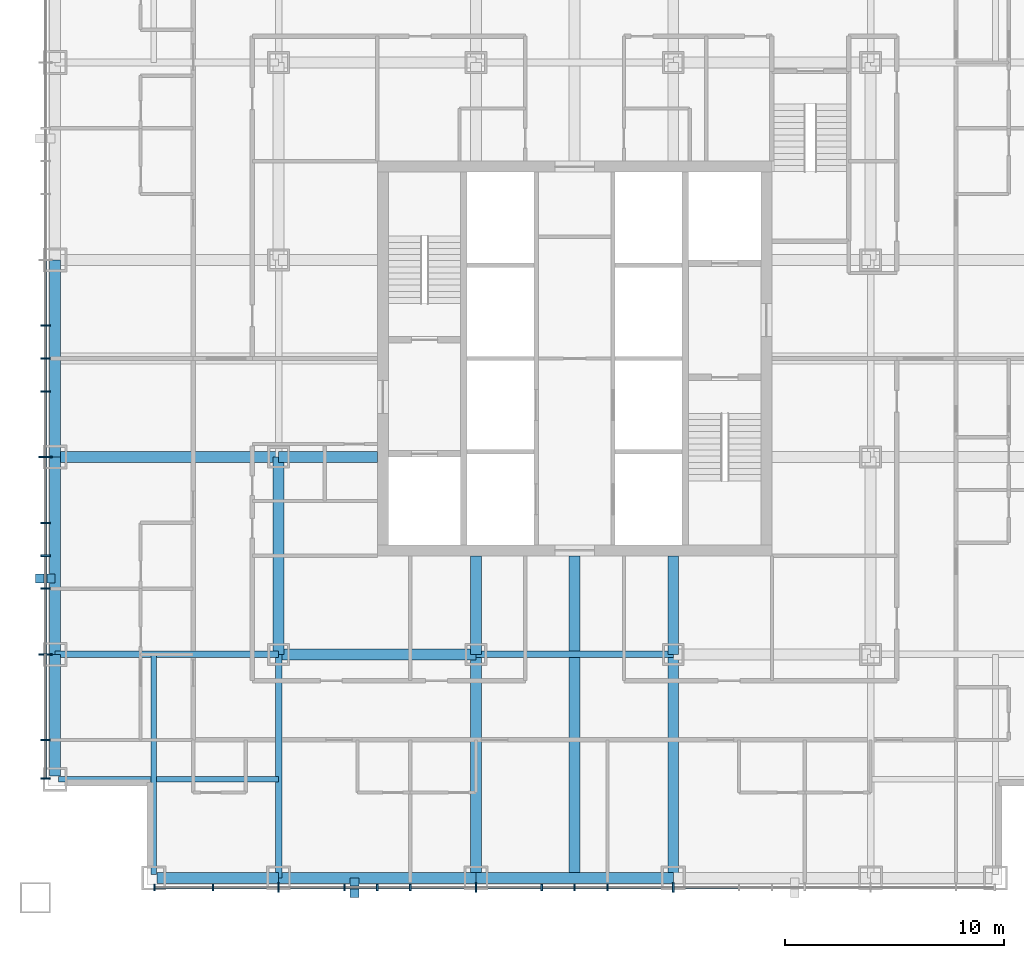
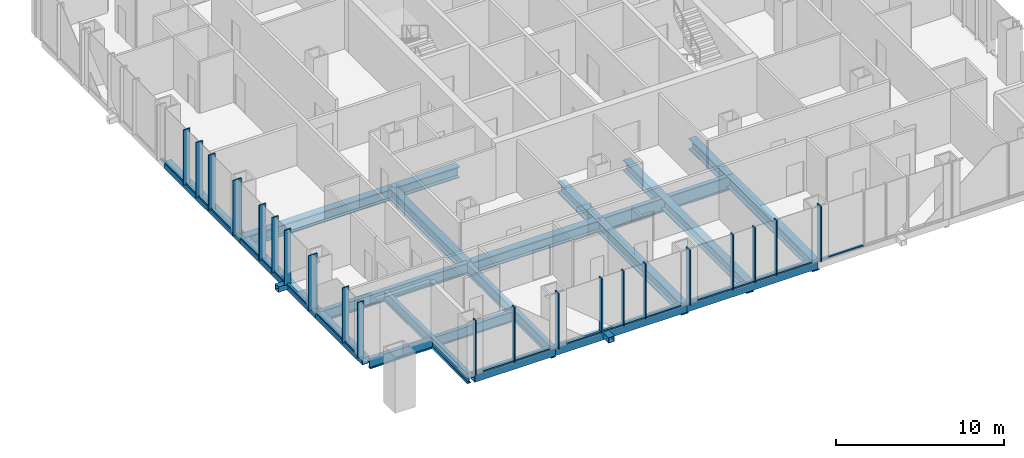
# One storey, part 2 of 14: 44 members, 20 beams, 2 elements without a shape of their own.
"""IFC4 building model written with IfcOpenShell, lengths in metres."""

from ifc_helpers import new_model, si_unit, direction, frame, origin, origin_2d, place, context, subcontext, project, spatial, rectangle, hollow_rectangle, i_section, extrude, material, layer, layer_set, material_profile, profile_set, type_object, element, aggregate, save


model = new_model("IFC4")

# Units and contexts
model_context = context("Model", 3, precision=1e-05, world=origin(), true_north=direction((0.0, 1.0)))
body_context = subcontext(model_context, "Body", "Model", "MODEL_VIEW")
ifc_project = project(units=[si_unit("LENGTHUNIT", "METRE"), si_unit("AREAUNIT", "SQUARE_METRE"), si_unit("VOLUMEUNIT", "CUBIC_METRE"), si_unit("PLANEANGLEUNIT", "RADIAN"), si_unit("MASSUNIT", "GRAM", prefix="KILO")], contexts=[model_context])

# Site, building, storey
site_placement = place(None, origin())
site = spatial("IfcSite", under=ifc_project, at=site_placement, CompositionType="ELEMENT")
building_placement = place(site_placement, origin())
building = spatial("IfcBuilding", under=site, at=building_placement, Name="Malebo Sky Hospital", CompositionType="ELEMENT")
storey_placement = place(building_placement, frame((0.0, 0.0, 128.0)))
storey = spatial("IfcBuildingStorey", under=building, at=storey_placement, Name="L30", CompositionType="ELEMENT", Elevation=128.0)

# Curtain wall, members
ifc_material_1 = material(Name="Anodised aluminium, natural silver", Category="aluminium")
ifc_layer_1 = layer(ifc_material_1, 0.25)
ifc_layer_set_1 = layer_set([ifc_layer_1], Name="WARD CURTAIN WALL EAST AND WEST")
curtain_wall_type_1 = type_object("IfcCurtainWallType", Name="WARD CURTAIN WALL EAST AND WEST", PredefinedType="NOTDEFINED", material=ifc_layer_set_1)
curtain_wall_1_placement = place(storey_placement, origin())
curtain_wall_1 = element("IfcCurtainWall", 1, at=curtain_wall_1_placement, inside=storey, type_object=curtain_wall_type_1, Name="EW curtain wall W", PredefinedType="NOTDEFINED")
ifc_material_profile_1 = material_profile(ifc_material_1, rectangle(XDim=0.14990234375, YDim=0.10009765625, at=origin_2d()), Name="ALUMINIUM TRANSOM 150x100")
ifc_profile_set_1 = profile_set([ifc_material_profile_1], Name="Anodised aluminium, natural silver")
member_type_1 = type_object("IfcMemberType", Name="ALUMINIUM TRANSOM 150x100", PredefinedType="USERDEFINED", material=ifc_profile_set_1)
member_1_placement = place(storey_placement, frame((35.864990234375, 42.875, 0.050048828125), z_axis=(0.0, 1.0, 0.0), x_axis=(-1.0, 0.0, 0.0)))
member_1 = element("IfcMember", 2, at=member_1_placement, type_object=member_type_1, Name="Transom 1", ObjectType="TRANSOM", PredefinedType="USERDEFINED", context=body_context, shape_type="SweptSolid", body=[
    extrude(rectangle(XDim=0.14990234375, YDim=0.10009765625, at=origin_2d()), origin(), (0.0, 0.0, 1.0), 1.6875),
])
member_2_placement = place(storey_placement, frame((35.864990234375, 44.637451171875, 0.050048828125), z_axis=(0.0, 1.0, 0.0), x_axis=(-1.0, 0.0, 0.0)))
member_2 = element("IfcMember", 3, at=member_2_placement, type_object=member_type_1, Name="Transom 2", ObjectType="TRANSOM", PredefinedType="USERDEFINED", context=body_context, shape_type="SweptSolid", body=[
    extrude(rectangle(XDim=0.14990234375, YDim=0.10009765625, at=origin_2d()), origin(), (0.0, 0.0, 1.0), 3.824951171875),
])
member_3_placement = place(storey_placement, frame((35.864990234375, 48.53759765625, 0.050048828125), z_axis=(0.0, 1.0, 0.0), x_axis=(-1.0, 0.0, 0.0)))
member_3 = element("IfcMember", 4, at=member_3_placement, type_object=member_type_1, Name="Transom 3", ObjectType="TRANSOM", PredefinedType="USERDEFINED", context=body_context, shape_type="SweptSolid", body=[
    extrude(rectangle(XDim=0.14990234375, YDim=0.10009765625, at=origin_2d()), origin(), (0.0, 0.0, 1.0), 2.9248046875),
])
member_4_placement = place(storey_placement, frame((35.864990234375, 51.53759765625, 0.050048828125), z_axis=(0.0, 1.0, 0.0), x_axis=(-1.0, 0.0, 0.0)))
member_4 = element("IfcMember", 5, at=member_4_placement, type_object=member_type_1, Name="Transom 4", ObjectType="TRANSOM", PredefinedType="USERDEFINED", context=body_context, shape_type="SweptSolid", body=[
    extrude(rectangle(XDim=0.14990234375, YDim=0.10009765625, at=origin_2d()), origin(), (0.0, 0.0, 1.0), 1.4248046875),
])
member_5_placement = place(storey_placement, frame((35.864990234375, 53.03759765625, 0.050048828125), z_axis=(0.0, 1.0, 0.0), x_axis=(-1.0, 0.0, 0.0)))
member_5 = element("IfcMember", 6, at=member_5_placement, type_object=member_type_1, Name="Transom 5", ObjectType="TRANSOM", PredefinedType="USERDEFINED", context=body_context, shape_type="SweptSolid", body=[
    extrude(rectangle(XDim=0.14990234375, YDim=0.10009765625, at=origin_2d()), origin(), (0.0, 0.0, 1.0), 1.4248046875),
])
member_6_placement = place(storey_placement, frame((35.864990234375, 54.53759765625, 0.050048828125), z_axis=(0.0, 1.0, 0.0), x_axis=(-1.0, 0.0, 0.0)))
member_6 = element("IfcMember", 7, at=member_6_placement, type_object=member_type_1, Name="Transom 6", ObjectType="TRANSOM", PredefinedType="USERDEFINED", context=body_context, shape_type="SweptSolid", body=[
    extrude(rectangle(XDim=0.14990234375, YDim=0.10009765625, at=origin_2d()), origin(), (0.0, 0.0, 1.0), 2.9248046875),
])
member_7_placement = place(storey_placement, frame((35.864990234375, 57.53759765625, 0.050048828125), z_axis=(0.0, 1.0, 0.0), x_axis=(-1.0, 0.0, 0.0)))
member_7 = element("IfcMember", 8, at=member_7_placement, type_object=member_type_1, Name="Transom 7", ObjectType="TRANSOM", PredefinedType="USERDEFINED", context=body_context, shape_type="SweptSolid", body=[
    extrude(rectangle(XDim=0.14990234375, YDim=0.10009765625, at=origin_2d()), origin(), (0.0, 0.0, 1.0), 2.9248046875),
])
member_8_placement = place(storey_placement, frame((35.864990234375, 60.53759765625, 0.050048828125), z_axis=(0.0, 1.0, 0.0), x_axis=(-1.0, 0.0, 0.0)))
member_8 = element("IfcMember", 9, at=member_8_placement, type_object=member_type_1, Name="Transom 8", ObjectType="TRANSOM", PredefinedType="USERDEFINED", context=body_context, shape_type="SweptSolid", body=[
    extrude(rectangle(XDim=0.14990234375, YDim=0.10009765625, at=origin_2d()), origin(), (0.0, 0.0, 1.0), 1.4248046875),
])
member_9_placement = place(storey_placement, frame((35.864990234375, 62.03759765625, 0.050048828125), z_axis=(0.0, 1.0, 0.0), x_axis=(-1.0, 0.0, 0.0)))
member_9 = element("IfcMember", 10, at=member_9_placement, type_object=member_type_1, Name="Transom 9", ObjectType="TRANSOM", PredefinedType="USERDEFINED", context=body_context, shape_type="SweptSolid", body=[
    extrude(rectangle(XDim=0.14990234375, YDim=0.10009765625, at=origin_2d()), origin(), (0.0, 0.0, 1.0), 1.4248046875),
])
member_10_placement = place(storey_placement, frame((35.864990234375, 63.53759765625, 0.050048828125), z_axis=(0.0, 1.0, 0.0), x_axis=(-1.0, 0.0, 0.0)))
member_10 = element("IfcMember", 11, at=member_10_placement, type_object=member_type_1, Name="Transom 10", ObjectType="TRANSOM", PredefinedType="USERDEFINED", context=body_context, shape_type="SweptSolid", body=[
    extrude(rectangle(XDim=0.14990234375, YDim=0.10009765625, at=origin_2d()), origin(), (0.0, 0.0, 1.0), 2.9248046875),
])

ifc_layer_2 = layer(ifc_material_1, 0.25)
ifc_layer_set_2 = layer_set([ifc_layer_2], Name="WARD CURTAIN WALL NORTH AND SOUTH")
curtain_wall_type_2 = type_object("IfcCurtainWallType", Name="WARD CURTAIN WALL NORTH AND SOUTH", PredefinedType="NOTDEFINED", material=ifc_layer_set_2)
curtain_wall_2_placement = place(storey_placement, origin())
curtain_wall_2 = element("IfcCurtainWall", 12, at=curtain_wall_2_placement, inside=storey, type_object=curtain_wall_type_2, Name="NS curtain wall S", PredefinedType="NOTDEFINED")
member_11_placement = place(storey_placement, frame((67.46240234375, 37.864990234375, 0.050048828125), z_axis=(-1.0, 0.0, 0.0), x_axis=(0.0, -1.0, 0.0)))
member_11 = element("IfcMember", 13, at=member_11_placement, type_object=member_type_1, Name="Transom 6", ObjectType="TRANSOM", PredefinedType="USERDEFINED", context=body_context, shape_type="SweptSolid", body=[
    extrude(rectangle(XDim=0.14990234375, YDim=0.10009765625, at=origin_2d()), origin(), (0.0, 0.0, 1.0), 2.9248046875),
])
member_12_placement = place(storey_placement, frame((64.46240234375, 37.864990234375, 0.050048828125), z_axis=(-1.0, 0.0, 0.0), x_axis=(0.0, -1.0, 0.0)))
member_12 = element("IfcMember", 14, at=member_12_placement, type_object=member_type_1, Name="Transom 7", ObjectType="TRANSOM", PredefinedType="USERDEFINED", context=body_context, shape_type="SweptSolid", body=[
    extrude(rectangle(XDim=0.14990234375, YDim=0.10009765625, at=origin_2d()), origin(), (0.0, 0.0, 1.0), 2.9248046875),
])
member_13_placement = place(storey_placement, frame((61.46240234375, 37.864990234375, 0.050048828125), z_axis=(-1.0, 0.0, 0.0), x_axis=(0.0, -1.0, 0.0)))
member_13 = element("IfcMember", 15, at=member_13_placement, type_object=member_type_1, Name="Transom 8", ObjectType="TRANSOM", PredefinedType="USERDEFINED", context=body_context, shape_type="SweptSolid", body=[
    extrude(rectangle(XDim=0.14990234375, YDim=0.10009765625, at=origin_2d()), origin(), (0.0, 0.0, 1.0), 1.4248046875),
])
member_14_placement = place(storey_placement, frame((59.96240234375, 37.864990234375, 0.050048828125), z_axis=(-1.0, 0.0, 0.0), x_axis=(0.0, -1.0, 0.0)))
member_14 = element("IfcMember", 16, at=member_14_placement, type_object=member_type_1, Name="Transom 9", ObjectType="TRANSOM", PredefinedType="USERDEFINED", context=body_context, shape_type="SweptSolid", body=[
    extrude(rectangle(XDim=0.14990234375, YDim=0.10009765625, at=origin_2d()), origin(), (0.0, 0.0, 1.0), 1.4248046875),
])
member_15_placement = place(storey_placement, frame((58.46240234375, 37.864990234375, 0.050048828125), z_axis=(-1.0, 0.0, 0.0), x_axis=(0.0, -1.0, 0.0)))
member_15 = element("IfcMember", 17, at=member_15_placement, type_object=member_type_1, Name="Transom 10", ObjectType="TRANSOM", PredefinedType="USERDEFINED", context=body_context, shape_type="SweptSolid", body=[
    extrude(rectangle(XDim=0.14990234375, YDim=0.10009765625, at=origin_2d()), origin(), (0.0, 0.0, 1.0), 2.9248046875),
])
member_16_placement = place(storey_placement, frame((55.46240234375, 37.864990234375, 0.050048828125), z_axis=(-1.0, 0.0, 0.0), x_axis=(0.0, -1.0, 0.0)))
member_16 = element("IfcMember", 18, at=member_16_placement, type_object=member_type_1, Name="Transom 11", ObjectType="TRANSOM", PredefinedType="USERDEFINED", context=body_context, shape_type="SweptSolid", body=[
    extrude(rectangle(XDim=0.14990234375, YDim=0.10009765625, at=origin_2d()), origin(), (0.0, 0.0, 1.0), 2.9248046875),
])
member_17_placement = place(storey_placement, frame((52.46240234375, 37.864990234375, 0.050048828125), z_axis=(-1.0, 0.0, 0.0), x_axis=(0.0, -1.0, 0.0)))
member_17 = element("IfcMember", 19, at=member_17_placement, type_object=member_type_1, Name="Transom 12", ObjectType="TRANSOM", PredefinedType="USERDEFINED", context=body_context, shape_type="SweptSolid", body=[
    extrude(rectangle(XDim=0.14990234375, YDim=0.10009765625, at=origin_2d()), origin(), (0.0, 0.0, 1.0), 1.4248046875),
])
member_18_placement = place(storey_placement, frame((50.96240234375, 37.864990234375, 0.050048828125), z_axis=(-1.0, 0.0, 0.0), x_axis=(0.0, -1.0, 0.0)))
member_18 = element("IfcMember", 20, at=member_18_placement, type_object=member_type_1, Name="Transom 13", ObjectType="TRANSOM", PredefinedType="USERDEFINED", context=body_context, shape_type="SweptSolid", body=[
    extrude(rectangle(XDim=0.14990234375, YDim=0.10009765625, at=origin_2d()), origin(), (0.0, 0.0, 1.0), 1.4248046875),
])
member_19_placement = place(storey_placement, frame((49.46240234375, 37.864990234375, 0.050048828125), z_axis=(-1.0, 0.0, 0.0), x_axis=(0.0, -1.0, 0.0)))
member_19 = element("IfcMember", 21, at=member_19_placement, type_object=member_type_1, Name="Transom 14", ObjectType="TRANSOM", PredefinedType="USERDEFINED", context=body_context, shape_type="SweptSolid", body=[
    extrude(rectangle(XDim=0.14990234375, YDim=0.10009765625, at=origin_2d()), origin(), (0.0, 0.0, 1.0), 2.9248046875),
])
member_20_placement = place(storey_placement, frame((46.46240234375, 37.864990234375, 0.050048828125), z_axis=(-1.0, 0.0, 0.0), x_axis=(0.0, -1.0, 0.0)))
member_20 = element("IfcMember", 22, at=member_20_placement, type_object=member_type_1, Name="Transom 15", ObjectType="TRANSOM", PredefinedType="USERDEFINED", context=body_context, shape_type="SweptSolid", body=[
    extrude(rectangle(XDim=0.14990234375, YDim=0.10009765625, at=origin_2d()), origin(), (0.0, 0.0, 1.0), 2.9248046875),
])
member_21_placement = place(storey_placement, frame((43.46240234375, 37.864990234375, 0.050048828125), z_axis=(-1.0, 0.0, 0.0), x_axis=(0.0, -1.0, 0.0)))
member_21 = element("IfcMember", 23, at=member_21_placement, type_object=member_type_1, Name="Transom 16", ObjectType="TRANSOM", PredefinedType="USERDEFINED", context=body_context, shape_type="SweptSolid", body=[
    extrude(rectangle(XDim=0.14990234375, YDim=0.10009765625, at=origin_2d()), origin(), (0.0, 0.0, 1.0), 2.58740234375),
])

# Members
ifc_material_2 = material(Name="Steel S355", Category="steel")
ifc_material_profile_2 = material_profile(ifc_material_2, hollow_rectangle(XDim=0.39990234375, YDim=0.39990234375, WallThickness=0.02001953125, at=origin_2d()), Name="SHS 400x20")
ifc_profile_set_2 = profile_set([ifc_material_profile_2], Name="Steel S355")
member_type_2 = type_object("IfcMemberType", Name="BRACE STRUT SHS 400x20", PredefinedType="STRUT", material=ifc_profile_set_2)
for number, where, z_axis, x_axis, name in (
    (24, (49.959716796875, 37.39990234375, -0.39990234375), (0.0, 1.0, 0.0), (-1.0, 0.0, 0.0), "Brace strut BS2 L30"),
    (25, (35.39990234375, 51.959716796875, -0.39990234375), (1.0, 0.0, 0.0), (0.0, 1.0, 0.0), "Brace strut BW1 L30"),
):
    element("IfcMember", number, at=place(storey_placement, frame(where, z_axis=z_axis, x_axis=x_axis)), inside=storey, type_object=member_type_2, Name=name, PredefinedType="STRUT", context=body_context, shape_type="SweptSolid", body=[
        extrude(hollow_rectangle(XDim=0.39990234375, YDim=0.39990234375, WallThickness=0.02001953125, at=origin_2d()), origin(), (0.0, 0.0, 1.0), 0.900146484375),
    ])

# Member
ifc_material_profile_3 = material_profile(ifc_material_1, rectangle(XDim=0.074951171875, YDim=0.300048828125, at=origin_2d()), Name="CW1 ALUMINIUM FIN MULLION 75x300")
ifc_profile_set_3 = profile_set([ifc_material_profile_3], Name="Anodised aluminium, natural silver")
member_type_3 = type_object("IfcMemberType", Name="CW1 ALUMINIUM FIN MULLION 75x300", PredefinedType="MULLION", material=ifc_profile_set_3)
member_22_placement = place(storey_placement, frame((61.5, 37.864990234375, 0.0), z_axis=(0.0, 0.0, 1.0), x_axis=(-1.0, 0.0, 0.0)))
member_22 = element("IfcMember", 26, at=member_22_placement, type_object=member_type_3, Name="Fin mullion 8", PredefinedType="MULLION", context=body_context, shape_type="SweptSolid", body=[
    extrude(rectangle(XDim=0.074951171875, YDim=0.300048828125, at=origin_2d()), origin(), (0.0, 0.0, 1.0), 4.0),
])

member_23_placement = place(storey_placement, frame((60.0, 37.864990234375, 0.0), z_axis=(0.0, 0.0, 1.0), x_axis=(-1.0, 0.0, 0.0)))
member_23 = element("IfcMember", 27, at=member_23_placement, type_object=member_type_3, Name="Fin mullion 9", PredefinedType="MULLION", context=body_context, shape_type="SweptSolid", body=[
    extrude(rectangle(XDim=0.074951171875, YDim=0.300048828125, at=origin_2d()), origin(), (0.0, 0.0, 1.0), 4.0),
])

member_24_placement = place(storey_placement, frame((58.5, 37.864990234375, 0.0), z_axis=(0.0, 0.0, 1.0), x_axis=(-1.0, 0.0, 0.0)))
member_24 = element("IfcMember", 28, at=member_24_placement, type_object=member_type_3, Name="Fin mullion 10", PredefinedType="MULLION", context=body_context, shape_type="SweptSolid", body=[
    extrude(rectangle(XDim=0.074951171875, YDim=0.300048828125, at=origin_2d()), origin(), (0.0, 0.0, 1.0), 4.0),
])

member_25_placement = place(storey_placement, frame((52.5, 37.864990234375, 0.0), z_axis=(0.0, 0.0, 1.0), x_axis=(-1.0, 0.0, 0.0)))
member_25 = element("IfcMember", 29, at=member_25_placement, type_object=member_type_3, Name="Fin mullion 12", PredefinedType="MULLION", context=body_context, shape_type="SweptSolid", body=[
    extrude(rectangle(XDim=0.074951171875, YDim=0.300048828125, at=origin_2d()), origin(), (0.0, 0.0, 1.0), 4.0),
])

member_26_placement = place(storey_placement, frame((51.0, 37.864990234375, 0.0), z_axis=(0.0, 0.0, 1.0), x_axis=(-1.0, 0.0, 0.0)))
member_26 = element("IfcMember", 30, at=member_26_placement, type_object=member_type_3, Name="Fin mullion 13", PredefinedType="MULLION", context=body_context, shape_type="SweptSolid", body=[
    extrude(rectangle(XDim=0.074951171875, YDim=0.300048828125, at=origin_2d()), origin(), (0.0, 0.0, 1.0), 4.0),
])

member_27_placement = place(storey_placement, frame((49.5, 37.864990234375, 0.0), z_axis=(0.0, 0.0, 1.0), x_axis=(-1.0, 0.0, 0.0)))
member_27 = element("IfcMember", 31, at=member_27_placement, type_object=member_type_3, Name="Fin mullion 14", PredefinedType="MULLION", context=body_context, shape_type="SweptSolid", body=[
    extrude(rectangle(XDim=0.074951171875, YDim=0.300048828125, at=origin_2d()), origin(), (0.0, 0.0, 1.0), 4.0),
])

member_28_placement = place(storey_placement, frame((43.5, 37.864990234375, 0.0), z_axis=(0.0, 0.0, 1.0), x_axis=(-1.0, 0.0, 0.0)))
member_28 = element("IfcMember", 32, at=member_28_placement, type_object=member_type_3, Name="Fin mullion 16", PredefinedType="MULLION", context=body_context, shape_type="SweptSolid", body=[
    extrude(rectangle(XDim=0.074951171875, YDim=0.300048828125, at=origin_2d()), origin(), (0.0, 0.0, 1.0), 4.0),
])

member_29_placement = place(storey_placement, frame((40.83740234375, 37.864990234375, 0.0), z_axis=(0.0, 0.0, 1.0), x_axis=(-1.0, 0.0, 0.0)))
member_29 = element("IfcMember", 33, at=member_29_placement, type_object=member_type_3, Name="Fin mullion 17", PredefinedType="MULLION", context=body_context, shape_type="SweptSolid", body=[
    extrude(rectangle(XDim=0.074951171875, YDim=0.300048828125, at=origin_2d()), origin(), (0.0, 0.0, 1.0), 4.0),
])

ifc_material_profile_4 = material_profile(ifc_material_1, rectangle(XDim=0.074951171875, YDim=0.449951171875, at=origin_2d()), Name="CW1 ALUMINIUM FIN MULLION 75x450")
ifc_profile_set_4 = profile_set([ifc_material_profile_4], Name="Anodised aluminium, natural silver")
member_type_4 = type_object("IfcMemberType", Name="CW1 ALUMINIUM FIN MULLION 75x450", PredefinedType="MULLION", material=ifc_profile_set_4)
member_30_placement = place(storey_placement, frame((64.5, 37.864990234375, 0.0), z_axis=(0.0, 0.0, 1.0), x_axis=(-1.0, 0.0, 0.0)))
member_30 = element("IfcMember", 34, at=member_30_placement, type_object=member_type_4, Name="Fin mullion 7", PredefinedType="MULLION", context=body_context, shape_type="SweptSolid", body=[
    extrude(rectangle(XDim=0.074951171875, YDim=0.449951171875, at=origin_2d()), origin(), (0.0, 0.0, 1.0), 4.0),
])

member_31_placement = place(storey_placement, frame((55.5, 37.864990234375, 0.0), z_axis=(0.0, 0.0, 1.0), x_axis=(-1.0, 0.0, 0.0)))
member_31 = element("IfcMember", 35, at=member_31_placement, type_object=member_type_4, Name="Fin mullion 11", PredefinedType="MULLION", context=body_context, shape_type="SweptSolid", body=[
    extrude(rectangle(XDim=0.074951171875, YDim=0.449951171875, at=origin_2d()), origin(), (0.0, 0.0, 1.0), 4.0),
])

member_32_placement = place(storey_placement, frame((46.5, 37.864990234375, 0.0), z_axis=(0.0, 0.0, 1.0), x_axis=(-1.0, 0.0, 0.0)))
member_32 = element("IfcMember", 36, at=member_32_placement, type_object=member_type_4, Name="Fin mullion 15", PredefinedType="MULLION", context=body_context, shape_type="SweptSolid", body=[
    extrude(rectangle(XDim=0.074951171875, YDim=0.449951171875, at=origin_2d()), origin(), (0.0, 0.0, 1.0), 4.0),
])

aggregate(curtain_wall_2, [member_30, member_22, member_23, member_24, member_31, member_25, member_26, member_27, member_32, member_28, member_29, member_11, member_12, member_13, member_14, member_15, member_16, member_17, member_18, member_19, member_20, member_21])

ifc_material_profile_5 = material_profile(ifc_material_1, rectangle(XDim=0.074951171875, YDim=0.449951171875, at=origin_2d()), Name="CW2 ALUMINIUM FIN MULLION 75x450")
ifc_profile_set_5 = profile_set([ifc_material_profile_5], Name="Anodised aluminium, natural silver")
member_type_5 = type_object("IfcMemberType", Name="CW2 ALUMINIUM FIN MULLION 75x450", PredefinedType="MULLION", material=ifc_profile_set_5)
member_33_placement = place(storey_placement, frame((35.864990234375, 42.83740234375, 0.0), z_axis=(0.0, 0.0, 1.0), x_axis=(0.0, 1.0, 0.0)))
member_33 = element("IfcMember", 37, at=member_33_placement, type_object=member_type_5, Name="Fin mullion 1", PredefinedType="MULLION", context=body_context, shape_type="SweptSolid", body=[
    extrude(rectangle(XDim=0.074951171875, YDim=0.449951171875, at=origin_2d()), origin(), (0.0, 0.0, 1.0), 4.0),
])

member_34_placement = place(storey_placement, frame((35.864990234375, 44.60009765625, 0.0), z_axis=(0.0, 0.0, 1.0), x_axis=(0.0, 1.0, 0.0)))
member_34 = element("IfcMember", 38, at=member_34_placement, type_object=member_type_5, Name="Fin mullion 2", PredefinedType="MULLION", context=body_context, shape_type="SweptSolid", body=[
    extrude(rectangle(XDim=0.074951171875, YDim=0.449951171875, at=origin_2d()), origin(), (0.0, 0.0, 1.0), 4.0),
])

member_35_placement = place(storey_placement, frame((35.864990234375, 51.5, 0.0), z_axis=(0.0, 0.0, 1.0), x_axis=(0.0, 1.0, 0.0)))
member_35 = element("IfcMember", 39, at=member_35_placement, type_object=member_type_5, Name="Fin mullion 4", PredefinedType="MULLION", context=body_context, shape_type="SweptSolid", body=[
    extrude(rectangle(XDim=0.074951171875, YDim=0.449951171875, at=origin_2d()), origin(), (0.0, 0.0, 1.0), 4.0),
])

member_36_placement = place(storey_placement, frame((35.864990234375, 53.0, 0.0), z_axis=(0.0, 0.0, 1.0), x_axis=(0.0, 1.0, 0.0)))
member_36 = element("IfcMember", 40, at=member_36_placement, type_object=member_type_5, Name="Fin mullion 5", PredefinedType="MULLION", context=body_context, shape_type="SweptSolid", body=[
    extrude(rectangle(XDim=0.074951171875, YDim=0.449951171875, at=origin_2d()), origin(), (0.0, 0.0, 1.0), 4.0),
])

member_37_placement = place(storey_placement, frame((35.864990234375, 54.5, 0.0), z_axis=(0.0, 0.0, 1.0), x_axis=(0.0, 1.0, 0.0)))
member_37 = element("IfcMember", 41, at=member_37_placement, type_object=member_type_5, Name="Fin mullion 6", PredefinedType="MULLION", context=body_context, shape_type="SweptSolid", body=[
    extrude(rectangle(XDim=0.074951171875, YDim=0.449951171875, at=origin_2d()), origin(), (0.0, 0.0, 1.0), 4.0),
])

member_38_placement = place(storey_placement, frame((35.864990234375, 60.5, 0.0), z_axis=(0.0, 0.0, 1.0), x_axis=(0.0, 1.0, 0.0)))
member_38 = element("IfcMember", 42, at=member_38_placement, type_object=member_type_5, Name="Fin mullion 8", PredefinedType="MULLION", context=body_context, shape_type="SweptSolid", body=[
    extrude(rectangle(XDim=0.074951171875, YDim=0.449951171875, at=origin_2d()), origin(), (0.0, 0.0, 1.0), 4.0),
])

member_39_placement = place(storey_placement, frame((35.864990234375, 62.0, 0.0), z_axis=(0.0, 0.0, 1.0), x_axis=(0.0, 1.0, 0.0)))
member_39 = element("IfcMember", 43, at=member_39_placement, type_object=member_type_5, Name="Fin mullion 9", PredefinedType="MULLION", context=body_context, shape_type="SweptSolid", body=[
    extrude(rectangle(XDim=0.074951171875, YDim=0.449951171875, at=origin_2d()), origin(), (0.0, 0.0, 1.0), 4.0),
])

member_40_placement = place(storey_placement, frame((35.864990234375, 63.5, 0.0), z_axis=(0.0, 0.0, 1.0), x_axis=(0.0, 1.0, 0.0)))
member_40 = element("IfcMember", 44, at=member_40_placement, type_object=member_type_5, Name="Fin mullion 10", PredefinedType="MULLION", context=body_context, shape_type="SweptSolid", body=[
    extrude(rectangle(XDim=0.074951171875, YDim=0.449951171875, at=origin_2d()), origin(), (0.0, 0.0, 1.0), 4.0),
])

ifc_material_profile_6 = material_profile(ifc_material_1, rectangle(XDim=0.074951171875, YDim=0.60009765625, at=origin_2d()), Name="CW2 ALUMINIUM FIN MULLION 75x600")
ifc_profile_set_6 = profile_set([ifc_material_profile_6], Name="Anodised aluminium, natural silver")
member_type_6 = type_object("IfcMemberType", Name="CW2 ALUMINIUM FIN MULLION 75x600", PredefinedType="MULLION", material=ifc_profile_set_6)
member_41_placement = place(storey_placement, frame((35.864990234375, 48.5, 0.0), z_axis=(0.0, 0.0, 1.0), x_axis=(0.0, 1.0, 0.0)))
member_41 = element("IfcMember", 45, at=member_41_placement, type_object=member_type_6, Name="Fin mullion 3", PredefinedType="MULLION", context=body_context, shape_type="SweptSolid", body=[
    extrude(rectangle(XDim=0.074951171875, YDim=0.60009765625, at=origin_2d()), origin(), (0.0, 0.0, 1.0), 4.0),
])

member_42_placement = place(storey_placement, frame((35.864990234375, 57.5, 0.0), z_axis=(0.0, 0.0, 1.0), x_axis=(0.0, 1.0, 0.0)))
member_42 = element("IfcMember", 46, at=member_42_placement, type_object=member_type_6, Name="Fin mullion 7", PredefinedType="MULLION", context=body_context, shape_type="SweptSolid", body=[
    extrude(rectangle(XDim=0.074951171875, YDim=0.60009765625, at=origin_2d()), origin(), (0.0, 0.0, 1.0), 4.0),
])

aggregate(curtain_wall_1, [member_33, member_34, member_41, member_35, member_36, member_37, member_42, member_38, member_39, member_40, member_1, member_2, member_3, member_4, member_5, member_6, member_7, member_8, member_9, member_10])

# Beams
ifc_material_3 = material(Name="Steel S460", Category="steel")
ifc_material_profile_7 = material_profile(ifc_material_3, hollow_rectangle(XDim=0.5, YDim=0.5, WallThickness=0.030029296875, at=origin_2d()), Name="BOX 500x500x30")
ifc_profile_set_7 = profile_set([ifc_material_profile_7], Name="Steel S460")
beam_type_1 = type_object("IfcBeamType", Name="EDGE BEAM BOX 500x500x30", PredefinedType="BEAM", material=ifc_profile_set_7)
beam_1_placement = place(storey_placement, frame((36.300048828125, 42.949951171875, -0.5), z_axis=(0.0, 1.0, 0.0), x_axis=(-1.0, 0.0, 0.0)))
element("IfcBeam", 47, at=beam_1_placement, inside=storey, type_object=beam_type_1, Name="Beam 000 L30", PredefinedType="BEAM", context=body_context, shape_type="SweptSolid", body=[
    extrude(hollow_rectangle(XDim=0.5, YDim=0.5, WallThickness=0.030029296875, at=origin_2d()), origin(), (0.0, 0.0, 1.0), 5.550048828125),
])
for number, where, z_axis, x_axis, name in (
    (48, (36.300048828125, 48.5, -0.5), (0.0, 1.0, 0.0), (-1.0, 0.0, 0.0), "Beam 001 L30"),
    (49, (36.300048828125, 57.5, -0.5), (0.0, 1.0, 0.0), (-1.0, 0.0, 0.0), "Beam 002 L30"),
):
    element("IfcBeam", number, at=place(storey_placement, frame(where, z_axis=z_axis, x_axis=x_axis)), inside=storey, type_object=beam_type_1, Name=name, PredefinedType="BEAM", context=body_context, shape_type="SweptSolid", body=[
        extrude(hollow_rectangle(XDim=0.5, YDim=0.5, WallThickness=0.030029296875, at=origin_2d()), origin(), (0.0, 0.0, 1.0), 9.0),
    ])
beam_2_placement = place(storey_placement, frame((40.949951171875, 38.300048828125, -0.5), z_axis=(1.0, 0.0, 0.0), x_axis=(0.0, 1.0, 0.0)))
element("IfcBeam", 50, at=beam_2_placement, inside=storey, type_object=beam_type_1, Name="Beam 034 L30", PredefinedType="BEAM", context=body_context, shape_type="SweptSolid", body=[
    extrude(hollow_rectangle(XDim=0.5, YDim=0.5, WallThickness=0.030029296875, at=origin_2d()), origin(), (0.0, 0.0, 1.0), 5.550048828125),
])
for number, where, z_axis, x_axis, name in (
    (51, (46.5, 38.300048828125, -0.5), (1.0, 0.0, 0.0), (0.0, 1.0, 0.0), "Beam 035 L30"),
    (52, (55.5, 38.300048828125, -0.5), (1.0, 0.0, 0.0), (0.0, 1.0, 0.0), "Beam 036 L30"),
):
    element("IfcBeam", number, at=place(storey_placement, frame(where, z_axis=z_axis, x_axis=x_axis)), inside=storey, type_object=beam_type_1, Name=name, PredefinedType="BEAM", context=body_context, shape_type="SweptSolid", body=[
        extrude(hollow_rectangle(XDim=0.5, YDim=0.5, WallThickness=0.030029296875, at=origin_2d()), origin(), (0.0, 0.0, 1.0), 9.0),
    ])
ifc_material_profile_8 = material_profile(ifc_material_2, i_section(OverallWidth=0.262939453125, OverallDepth=0.7529296875, WebThickness=0.011474609375, FlangeThickness=0.01708984375, FilletRadius=0.01708984375, at=origin_2d()), Name="IPE 750x137")
ifc_profile_set_8 = profile_set([ifc_material_profile_8], Name="Steel S355")
beam_type_2 = type_object("IfcBeamType", Name="FLOOR BEAM IPE 750x137", PredefinedType="BEAM", material=ifc_profile_set_8)
for number, where, z_axis, x_axis, name in (
    (53, (40.800048828125, 38.449951171875, -0.62646484375), (0.0, 1.0, 0.0), (-1.0, 0.0, 0.0), "Beam 005 L30"),
    (54, (36.449951171875, 42.800048828125, -0.62646484375), (1.0, 0.0, 0.0), (0.0, 1.0, 0.0), "Beam 039 L30"),
):
    element("IfcBeam", number, at=place(storey_placement, frame(where, z_axis=z_axis, x_axis=x_axis)), inside=storey, type_object=beam_type_2, Name=name, PredefinedType="BEAM", context=body_context, shape_type="SweptSolid", body=[
        extrude(i_section(OverallWidth=0.262939453125, OverallDepth=0.7529296875, WebThickness=0.011474609375, FlangeThickness=0.01708984375, FilletRadius=0.01708984375, at=origin_2d()), origin(), (0.0, 0.0, 1.0), 10.050048828125),
    ])
ifc_material_profile_9 = material_profile(ifc_material_2, i_section(OverallWidth=0.5, OverallDepth=0.800048828125, WebThickness=0.030029296875, FlangeThickness=0.050048828125, at=origin_2d()), Name="PG 800x500x30x50")
ifc_profile_set_9 = profile_set([ifc_material_profile_9], Name="Steel S355")
beam_type_3 = type_object("IfcBeamType", Name="FLOOR BEAM PG 800x500x30x50", PredefinedType="BEAM", material=ifc_profile_set_9)
beam_3_placement = place(storey_placement, frame((46.5, 48.5, -0.64990234375), z_axis=(0.0, 1.0, 0.0), x_axis=(-1.0, 0.0, 0.0)))
element("IfcBeam", 55, at=beam_3_placement, inside=storey, type_object=beam_type_3, Name="Beam 008 L30", PredefinedType="BEAM", context=body_context, shape_type="SweptSolid", body=[
    extrude(i_section(OverallWidth=0.5, OverallDepth=0.800048828125, WebThickness=0.030029296875, FlangeThickness=0.050048828125, at=origin_2d()), origin(), (0.0, 0.0, 1.0), 9.0),
])
beam_4_placement = place(storey_placement, frame((55.5, 38.300048828125, -0.64990234375), z_axis=(0.0, 1.0, 0.0), x_axis=(-1.0, 0.0, 0.0)))
element("IfcBeam", 56, at=beam_4_placement, inside=storey, type_object=beam_type_3, Name="Beam 012 L30", PredefinedType="BEAM", context=body_context, shape_type="SweptSolid", body=[
    extrude(i_section(OverallWidth=0.5, OverallDepth=0.800048828125, WebThickness=0.030029296875, FlangeThickness=0.050048828125, at=origin_2d()), origin(), (0.0, 0.0, 1.0), 10.199951171875),
])
beam_5_placement = place(storey_placement, frame((55.5, 48.5, -0.64990234375), z_axis=(0.0, 1.0, 0.0), x_axis=(-1.0, 0.0, 0.0)))
element("IfcBeam", 57, at=beam_5_placement, inside=storey, type_object=beam_type_3, Name="Beam 013 L30", PredefinedType="BEAM", context=body_context, shape_type="SweptSolid", body=[
    extrude(i_section(OverallWidth=0.5, OverallDepth=0.800048828125, WebThickness=0.030029296875, FlangeThickness=0.050048828125, at=origin_2d()), origin(), (0.0, 0.0, 1.0), 4.5),
])
beam_6_placement = place(storey_placement, frame((60.0, 38.300048828125, -0.64990234375), z_axis=(0.0, 1.0, 0.0), x_axis=(-1.0, 0.0, 0.0)))
element("IfcBeam", 58, at=beam_6_placement, inside=storey, type_object=beam_type_3, Name="Beam 016 L30", PredefinedType="BEAM", context=body_context, shape_type="SweptSolid", body=[
    extrude(i_section(OverallWidth=0.5, OverallDepth=0.800048828125, WebThickness=0.030029296875, FlangeThickness=0.050048828125, at=origin_2d()), origin(), (0.0, 0.0, 1.0), 14.699951171875),
])
beam_7_placement = place(storey_placement, frame((64.5, 38.300048828125, -0.64990234375), z_axis=(0.0, 1.0, 0.0), x_axis=(-1.0, 0.0, 0.0)))
element("IfcBeam", 59, at=beam_7_placement, inside=storey, type_object=beam_type_3, Name="Beam 018 L30", PredefinedType="BEAM", context=body_context, shape_type="SweptSolid", body=[
    extrude(i_section(OverallWidth=0.5, OverallDepth=0.800048828125, WebThickness=0.030029296875, FlangeThickness=0.050048828125, at=origin_2d()), origin(), (0.0, 0.0, 1.0), 10.199951171875),
])
beam_8_placement = place(storey_placement, frame((64.5, 48.5, -0.64990234375), z_axis=(0.0, 1.0, 0.0), x_axis=(-1.0, 0.0, 0.0)))
element("IfcBeam", 60, at=beam_8_placement, inside=storey, type_object=beam_type_3, Name="Beam 019 L30", PredefinedType="BEAM", context=body_context, shape_type="SweptSolid", body=[
    extrude(i_section(OverallWidth=0.5, OverallDepth=0.800048828125, WebThickness=0.030029296875, FlangeThickness=0.050048828125, at=origin_2d()), origin(), (0.0, 0.0, 1.0), 4.5),
])
beam_9_placement = place(storey_placement, frame((46.5, 48.5, -0.64990234375), z_axis=(1.0, 0.0, 0.0), x_axis=(0.0, 1.0, 0.0)))
element("IfcBeam", 61, at=beam_9_placement, inside=storey, type_object=beam_type_3, Name="Beam 042 L30", PredefinedType="BEAM", context=body_context, shape_type="SweptSolid", body=[
    extrude(i_section(OverallWidth=0.5, OverallDepth=0.800048828125, WebThickness=0.030029296875, FlangeThickness=0.050048828125, at=origin_2d()), origin(), (0.0, 0.0, 1.0), 9.0),
])
beam_10_placement = place(storey_placement, frame((36.300048828125, 57.5, -0.64990234375), z_axis=(1.0, 0.0, 0.0), x_axis=(0.0, 1.0, 0.0)))
element("IfcBeam", 62, at=beam_10_placement, inside=storey, type_object=beam_type_3, Name="Beam 046 L30", PredefinedType="BEAM", context=body_context, shape_type="SweptSolid", body=[
    extrude(i_section(OverallWidth=0.5, OverallDepth=0.800048828125, WebThickness=0.030029296875, FlangeThickness=0.050048828125, at=origin_2d()), origin(), (0.0, 0.0, 1.0), 10.199951171875),
])
beam_11_placement = place(storey_placement, frame((46.5, 57.5, -0.64990234375), z_axis=(1.0, 0.0, 0.0), x_axis=(0.0, 1.0, 0.0)))
element("IfcBeam", 63, at=beam_11_placement, inside=storey, type_object=beam_type_3, Name="Beam 047 L30", PredefinedType="BEAM", context=body_context, shape_type="SweptSolid", body=[
    extrude(i_section(OverallWidth=0.5, OverallDepth=0.800048828125, WebThickness=0.030029296875, FlangeThickness=0.050048828125, at=origin_2d()), origin(), (0.0, 0.0, 1.0), 4.5),
])
ifc_material_profile_10 = material_profile(ifc_material_2, i_section(OverallWidth=0.300048828125, OverallDepth=0.800048828125, WebThickness=0.017578125, FlangeThickness=0.032958984375, FilletRadius=0.030029296875, at=origin_2d()), Name="HEB 800")
ifc_profile_set_10 = profile_set([ifc_material_profile_10], Name="Steel S355")
beam_type_4 = type_object("IfcBeamType", Name="FLOOR GIRDER HEB 800", PredefinedType="BEAM", material=ifc_profile_set_10)
for number, where, z_axis, x_axis, name in (
    (64, (46.5, 38.300048828125, -0.64990234375), (0.0, 1.0, 0.0), (-1.0, 0.0, 0.0), "Beam 007 L30"),
    (65, (36.300048828125, 48.5, -0.64990234375), (1.0, 0.0, 0.0), (0.0, 1.0, 0.0), "Beam 041 L30"),
):
    element("IfcBeam", number, at=place(storey_placement, frame(where, z_axis=z_axis, x_axis=x_axis)), inside=storey, type_object=beam_type_4, Name=name, PredefinedType="BEAM", context=body_context, shape_type="SweptSolid", body=[
        extrude(i_section(OverallWidth=0.300048828125, OverallDepth=0.800048828125, WebThickness=0.017578125, FlangeThickness=0.032958984375, FilletRadius=0.030029296875, at=origin_2d()), origin(), (0.0, 0.0, 1.0), 10.199951171875),
    ])
ifc_material_profile_11 = material_profile(ifc_material_2, i_section(OverallWidth=0.300048828125, OverallDepth=1.0, WebThickness=0.01904296875, FlangeThickness=0.035888671875, FilletRadius=0.030029296875, at=origin_2d()), Name="HEB 1000")
ifc_profile_set_11 = profile_set([ifc_material_profile_11], Name="Steel S355")
beam_type_5 = type_object("IfcBeamType", Name="RING GIRDER HEB 1000", PredefinedType="BEAM", material=ifc_profile_set_11)
beam_12_placement = place(storey_placement, frame((55.5, 48.5, -0.75), z_axis=(1.0, 0.0, 0.0), x_axis=(0.0, 1.0, 0.0)))
element("IfcBeam", 66, at=beam_12_placement, inside=storey, type_object=beam_type_5, Name="Beam 043 L30", PredefinedType="BEAM", context=body_context, shape_type="SweptSolid", body=[
    extrude(i_section(OverallWidth=0.300048828125, OverallDepth=1.0, WebThickness=0.01904296875, FlangeThickness=0.035888671875, FilletRadius=0.030029296875, at=origin_2d()), origin(), (0.0, 0.0, 1.0), 9.0),
])

save(model, "model.ifc")
